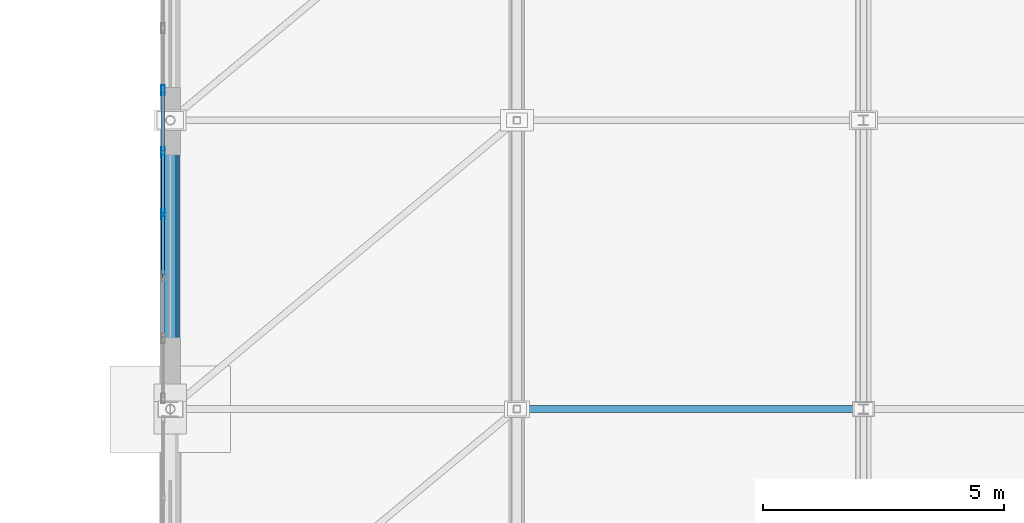
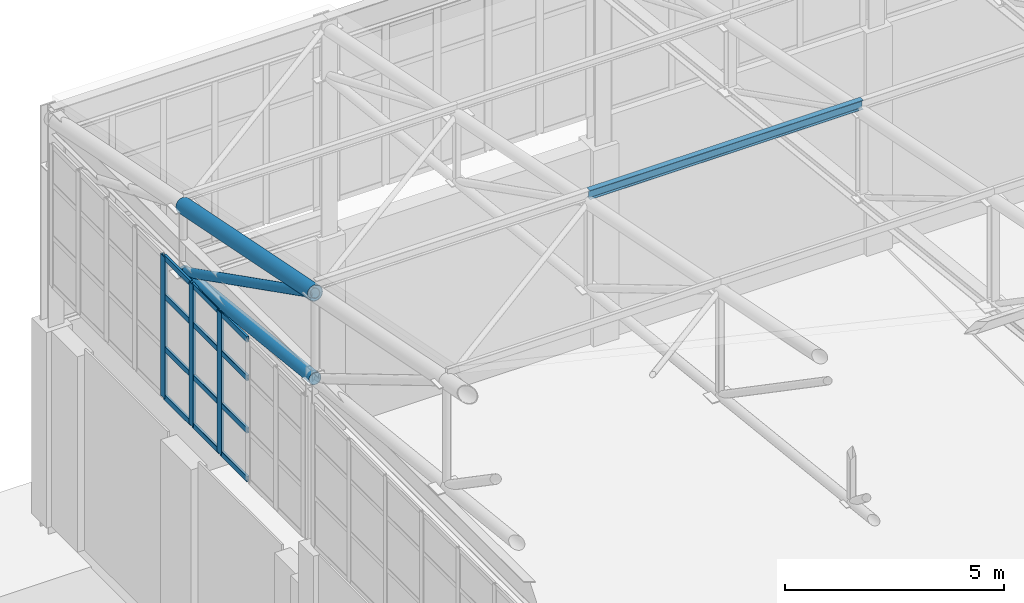
# One storey, part 198 of 293: 19 members, 1 element without a shape of its own.
"""IFC4 building model written with IfcOpenShell, lengths in metres."""

import ifcopenshell
import ifcopenshell.guid

model = None  # the IFC model being written
_history = None  # IfcOwnerHistory: only IFC2X3 demands one
_inside = {}  # id of a spatial element -> (the spatial element, [elements in it])
_under = {}  # id of a project, library or spatial element -> (it, [spatial elements below it])
_declared = {}  # id of a project -> (the project, [libraries it declares])
_typed = {}  # id of a type object -> (the type object, [elements of that type])
_made_of = {}  # id of a material, layer set ... -> (it, [elements and type objects made of it])


def new_model(schema):
    """Start an empty IFC model of exactly this schema.

    Asked for "IFC4X3", IfcOpenShell would pick the latest addendum, in which some entities
    have other attributes; the version numbers below select the first issue.
    IFC2X3 requires an IfcOwnerHistory on every rooted entity: one is made here for all.
    """
    global model, _history
    if schema == "IFC4X3":
        model = ifcopenshell.file(schema_version=(4, 3, 0, 0))
    else:
        model = ifcopenshell.file(schema=schema)
    _inside.clear()
    _under.clear()
    _declared.clear()
    _typed.clear()
    _made_of.clear()
    _history = None
    if model.schema == "IFC2X3":
        org = make("IfcOrganization", Name="unknown")
        user = make(
            "IfcPersonAndOrganization",
            ThePerson=make("IfcPerson", FamilyName="unknown"),
            TheOrganization=org,
        )
        app = make(
            "IfcApplication",
            ApplicationDeveloper=org,
            Version="unknown",
            ApplicationFullName="unknown",
            ApplicationIdentifier="unknown",
        )
        _history = make(
            "IfcOwnerHistory",
            OwningUser=user,
            OwningApplication=app,
            ChangeAction="ADDED",
            CreationDate=0,
        )
    return model


def make(cls, **values):
    """One entity of the class cls with the attributes given. An attribute that is None is left unset."""
    return model.create_entity(
        cls, **{name: value for name, value in values.items() if value is not None}
    )


def rooted(cls, **values):
    """An entity with a GlobalId (a new one), such as an element, a storey or a relation."""
    return make(cls, GlobalId=ifcopenshell.guid.new(), OwnerHistory=_history, **values)


def si_unit(unit_type, name, prefix=None):
    """IfcSIUnit, for example si_unit("LENGTHUNIT", "METRE", prefix="MILLI")."""
    return make("IfcSIUnit", UnitType=unit_type, Prefix=prefix, Name=name)


def assignment(units):
    """IfcUnitAssignment: the units of a project."""
    return None if units is None else make("IfcUnitAssignment", Units=units)


def point(xyz):
    """IfcCartesianPoint."""
    return None if xyz is None else make("IfcCartesianPoint", Coordinates=xyz)


def direction(xyz):
    """IfcDirection."""
    return None if xyz is None else make("IfcDirection", DirectionRatios=xyz)


def frame(location, z_axis=None, x_axis=None):
    """IfcAxis2Placement3D, a coordinate frame: its origin and axes. An axis left out is left unset."""
    return make(
        "IfcAxis2Placement3D",
        Location=point(location),
        Axis=direction(z_axis),
        RefDirection=direction(x_axis),
    )


def frame_2d(location, x_axis=None):
    """IfcAxis2Placement2D, a coordinate frame in the plane: its origin and x axis."""
    return make(
        "IfcAxis2Placement2D", Location=point(location), RefDirection=direction(x_axis)
    )


def origin():
    """The frame at (0, 0, 0) with its axes left unset."""
    return frame((0.0, 0.0, 0.0))


def origin_2d():
    """The frame at (0, 0) in the plane with its x axis left unset."""
    return frame_2d((0.0, 0.0))


def place(relative_to, where):
    """IfcLocalPlacement: puts the frame where relative to a parent placement (None: the world)."""
    return make(
        "IfcLocalPlacement", PlacementRelTo=relative_to, RelativePlacement=where
    )


def context(
    kind, dimensions, precision=None, world=None, true_north=None, identifier=None
):
    """IfcGeometricRepresentationContext, for example the 3D "Model" context."""
    return make(
        "IfcGeometricRepresentationContext",
        ContextIdentifier=identifier,
        ContextType=kind,
        CoordinateSpaceDimension=dimensions,
        Precision=precision,
        WorldCoordinateSystem=world,
        TrueNorth=true_north,
    )


def subcontext(parent, identifier, kind, view, scale=None):
    """IfcGeometricRepresentationSubContext, for example "Body" below "Model"."""
    return make(
        "IfcGeometricRepresentationSubContext",
        ContextIdentifier=identifier,
        ContextType=kind,
        ParentContext=parent,
        TargetScale=scale,
        TargetView=view,
    )


def project(units=None, contexts=None):
    """IfcProject with its units and contexts."""
    return rooted(
        "IfcProject",
        Name="project",
        RepresentationContexts=contexts,
        UnitsInContext=assignment(units),
    )


def spatial(cls, under=None, at=None, **own):
    """A site, building, storey or space (cls), placed at a placement, below another one or the project."""
    s = rooted(cls, ObjectPlacement=at, **own)
    if under is not None:
        _under.setdefault(under.id(), (under, []))[1].append(s)
    return s


def profile(cls, at=None, kind="AREA", **sizes):
    """A parametric profile (cls). Its sizes go by their IFC names, for example OverallWidth=200.0."""
    return make(cls, ProfileType=kind, Position=at, **sizes)


def hollow_rectangle(**sizes):
    """IfcRectangleHollowProfileDef."""
    return profile("IfcRectangleHollowProfileDef", **sizes)


def hollow_circle(**sizes):
    """IfcCircleHollowProfileDef."""
    return profile("IfcCircleHollowProfileDef", **sizes)


def i_section(**sizes):
    """IfcIShapeProfileDef."""
    return profile("IfcIShapeProfileDef", **sizes)


def extrude(swept, where, along, depth):
    """IfcExtrudedAreaSolid: the profile swept, set in the frame where, extruded along a direction by depth."""
    return make(
        "IfcExtrudedAreaSolid",
        SweptArea=swept,
        Position=where,
        ExtrudedDirection=direction(along),
        Depth=depth,
    )


def shape(context_of_items, identifier, shape_type, items):
    """IfcShapeRepresentation: the items that make up one representation, for example the "Body"."""
    return make(
        "IfcShapeRepresentation",
        ContextOfItems=context_of_items,
        RepresentationIdentifier=identifier,
        RepresentationType=shape_type,
        Items=items,
    )


def material(Name=None, Category=None):
    """IfcMaterial."""
    return make("IfcMaterial", Name=Name, Category=Category)


def layer(
    of_material, thickness, ventilated=None, Name=None, Category=None, Priority=None
):
    """IfcMaterialLayer: one layer of a wall or slab, of a material (None: an air gap)."""
    return make(
        "IfcMaterialLayer",
        Material=of_material,
        LayerThickness=thickness,
        IsVentilated=ventilated,
        Name=Name,
        Category=Category,
        Priority=Priority,
    )


def layer_set(layers, Name=None):
    """IfcMaterialLayerSet."""
    return make("IfcMaterialLayerSet", MaterialLayers=layers, LayerSetName=Name)


def material_profile(
    of_material, cross_section, Name=None, Category=None, Priority=None
):
    """IfcMaterialProfile: a cross section and its material."""
    return make(
        "IfcMaterialProfile",
        Name=Name,
        Material=of_material,
        Profile=cross_section,
        Priority=Priority,
        Category=Category,
    )


def profile_set(profiles, Name=None, composite=None):
    """IfcMaterialProfileSet."""
    return make(
        "IfcMaterialProfileSet",
        Name=Name,
        MaterialProfiles=profiles,
        CompositeProfile=composite,
    )


def made_of(thing, what):
    """Note that an element or type object is made of a material, layer set ...; save() writes the relation."""
    if what is not None:
        _made_of.setdefault(what.id(), (what, []))[1].append(thing)
    return thing


def type_object(cls, material=None, **own):
    """A type object (cls), such as IfcWallType, which elements share."""
    return made_of(rooted(cls, **own), material)


def element(
    cls,
    number,
    at=None,
    inside=None,
    cuts=None,
    type_object=None,
    material=None,
    context=None,
    identifier="Body",
    shape_type=None,
    held_by="IfcProductDefinitionShape",
    body=None,
    shapes=None,
    **own,
):
    """One element of the class cls, such as IfcWall. Its Tag is "e" and its number.

    at: its placement. inside: the storey or other place that contains it. cuts: it is an
    opening in that element (IfcRelVoidsElement). A single representation is given by context,
    identifier, shape_type and body (its items); several are given by shapes. held_by: the class
    of the entity that holds the representations. save() writes the other relations.
    """
    e = rooted(cls, Tag="e%d" % number, ObjectPlacement=at, **own)
    if body is not None:
        shapes = [shape(context, identifier, shape_type, body)]
    if shapes is not None:
        e.Representation = make(held_by, Representations=shapes)
    if inside is not None:
        _inside.setdefault(inside.id(), (inside, []))[1].append(e)
    if cuts is not None:
        rooted(
            "IfcRelVoidsElement", RelatingBuildingElement=cuts, RelatedOpeningElement=e
        )
    if type_object is not None:
        _typed.setdefault(type_object.id(), (type_object, []))[1].append(e)
    return made_of(e, material)


def aggregate(whole, parts):
    """IfcRelAggregates: a whole, such as a stair, and the parts it consists of."""
    return rooted("IfcRelAggregates", RelatingObject=whole, RelatedObjects=parts)


def save(model, path):
    """Write the relations noted so far, then the file.

    IfcRelAggregates (storeys below a building ...), IfcRelContainedInSpatialStructure (elements
    in a storey), IfcRelDefinesByType, IfcRelAssociatesMaterial and IfcRelDeclares: one each for
    every whole, place, type object, material and project.
    """
    for whole, parts in _under.values():
        aggregate(whole, parts)
    for where, things in _inside.values():
        rooted(
            "IfcRelContainedInSpatialStructure",
            RelatedElements=things,
            RelatingStructure=where,
        )
    for kind, things in _typed.values():
        rooted("IfcRelDefinesByType", RelatedObjects=things, RelatingType=kind)
    for what, things in _made_of.values():
        rooted("IfcRelAssociatesMaterial", RelatedObjects=things, RelatingMaterial=what)
    for by, libraries in _declared.values():
        rooted("IfcRelDeclares", RelatingContext=by, RelatedDefinitions=libraries)
    model.write(path)


model = new_model("IFC4")

# Units and contexts
model_context = context("Model", 3, precision=1e-05, world=origin(), true_north=direction((0.0, 1.0)))
body_context = subcontext(model_context, "Body", "Model", "MODEL_VIEW")
ifc_project = project(units=[si_unit("LENGTHUNIT", "METRE"), si_unit("AREAUNIT", "SQUARE_METRE"), si_unit("VOLUMEUNIT", "CUBIC_METRE"), si_unit("PLANEANGLEUNIT", "RADIAN"), si_unit("MASSUNIT", "GRAM", prefix="KILO")], contexts=[model_context])

# Site, building, storey
site_placement = place(None, origin())
site = spatial("IfcSite", under=ifc_project, at=site_placement, CompositionType="ELEMENT")
building_placement = place(site_placement, origin())
building = spatial("IfcBuilding", under=site, at=building_placement, Name="Kemerveld Promenade Tramway Depot", CompositionType="ELEMENT")
storey_placement = place(building_placement, origin())
storey = spatial("IfcBuildingStorey", under=building, at=storey_placement, Name="L00", CompositionType="ELEMENT", Elevation=0.0)

# Curtain wall, members
ifc_material_1 = material(Name="Bronze anodised aluminium and solar glass", Category="aluminium")
ifc_layer = layer(ifc_material_1, 0.199951171875)
ifc_layer_set = layer_set([ifc_layer], Name="CW-SYS-12")
curtain_wall_type = type_object("IfcCurtainWallType", Name="CW-SYS-12", PredefinedType="USERDEFINED", material=ifc_layer_set)
curtain_wall_placement = place(storey_placement, origin())
curtain_wall = element("IfcCurtainWall", 1, at=curtain_wall_placement, inside=storey, type_object=curtain_wall_type, Name="CW-V1-W-05", ObjectType="GLAZED_CURTAIN_WALL", PredefinedType="USERDEFINED")
ifc_material_2 = material(Name="Bronze anodised aluminium", Category="aluminium")
ifc_material_profile_1 = material_profile(ifc_material_2, hollow_rectangle(XDim=0.074951171875, YDim=0.199951171875, WallThickness=0.0048828125, InnerFilletRadius=0.001953125, OuterFilletRadius=0.0048828125, at=origin_2d()), Name="CW-MUL-200x75")
ifc_profile_set_1 = profile_set([ifc_material_profile_1], Name="Bronze anodised aluminium")
member_type_1 = type_object("IfcMemberType", Name="CW-MUL-B", PredefinedType="MULLION", material=ifc_profile_set_1)
member_1_placement = place(storey_placement, frame((35.85009765625, 136.0478515625, 6.64990234375), z_axis=(0.0, 0.0, 1.0), x_axis=(-1.0, 0.0, 0.0)))
member_1 = element("IfcMember", 2, at=member_1_placement, type_object=member_type_1, Name="CW12 mullion 4", PredefinedType="MULLION", context=body_context, shape_type="SweptSolid", body=[
    extrude(hollow_rectangle(XDim=0.074951171875, YDim=0.199951171875, WallThickness=0.0048828125, InnerFilletRadius=0.001953125, OuterFilletRadius=0.0048828125, at=origin_2d()), origin(), (0.0, 0.0, 1.0), 3.9501953125),
])
member_2_placement = place(storey_placement, frame((35.85009765625, 137.336181640625, 6.64990234375), z_axis=(0.0, 0.0, 1.0), x_axis=(-1.0, 0.0, 0.0)))
member_2 = element("IfcMember", 3, at=member_2_placement, type_object=member_type_1, Name="CW12 mullion 5", PredefinedType="MULLION", context=body_context, shape_type="SweptSolid", body=[
    extrude(hollow_rectangle(XDim=0.074951171875, YDim=0.199951171875, WallThickness=0.0048828125, InnerFilletRadius=0.001953125, OuterFilletRadius=0.0048828125, at=origin_2d()), origin(), (0.0, 0.0, 1.0), 3.9501953125),
])
member_3_placement = place(storey_placement, frame((35.85009765625, 138.624267578125, 6.64990234375), z_axis=(0.0, 0.0, 1.0), x_axis=(-1.0, 0.0, 0.0)))
member_3 = element("IfcMember", 4, at=member_3_placement, type_object=member_type_1, Name="CW12 mullion 6", PredefinedType="MULLION", context=body_context, shape_type="SweptSolid", body=[
    extrude(hollow_rectangle(XDim=0.074951171875, YDim=0.199951171875, WallThickness=0.0048828125, InnerFilletRadius=0.001953125, OuterFilletRadius=0.0048828125, at=origin_2d()), origin(), (0.0, 0.0, 1.0), 3.9501953125),
])
ifc_material_profile_2 = material_profile(ifc_material_2, hollow_rectangle(XDim=0.06494140625, YDim=0.14990234375, WallThickness=0.00439453125, InnerFilletRadius=0.001953125, OuterFilletRadius=0.00439453125, at=origin_2d()), Name="CW-TRN-150x65")
ifc_profile_set_2 = profile_set([ifc_material_profile_2], Name="Bronze anodised aluminium")
member_type_2 = type_object("IfcMemberType", Name="CW-TRN-B", PredefinedType="USERDEFINED", material=ifc_profile_set_2)
member_4_placement = place(storey_placement, frame((35.85009765625, 134.79736328125, 6.6826171875), z_axis=(0.0, 1.0, 0.0), x_axis=(-1.0, 0.0, 0.0)))
member_4 = element("IfcMember", 5, at=member_4_placement, type_object=member_type_2, Name="CW12 transom 3.1", ObjectType="TRANSOM", PredefinedType="USERDEFINED", context=body_context, shape_type="SweptSolid", body=[
    extrude(hollow_rectangle(XDim=0.06494140625, YDim=0.14990234375, WallThickness=0.00439453125, InnerFilletRadius=0.001953125, OuterFilletRadius=0.00439453125, at=origin_2d()), origin(), (0.0, 0.0, 1.0), 1.213134765625),
])
member_5_placement = place(storey_placement, frame((35.85009765625, 134.79736328125, 8.032958984375), z_axis=(0.0, 1.0, 0.0), x_axis=(-1.0, 0.0, 0.0)))
member_5 = element("IfcMember", 6, at=member_5_placement, type_object=member_type_2, Name="CW12 transom 3.2", ObjectType="TRANSOM", PredefinedType="USERDEFINED", context=body_context, shape_type="SweptSolid", body=[
    extrude(hollow_rectangle(XDim=0.06494140625, YDim=0.14990234375, WallThickness=0.00439453125, InnerFilletRadius=0.001953125, OuterFilletRadius=0.00439453125, at=origin_2d()), origin(), (0.0, 0.0, 1.0), 1.213134765625),
])
member_6_placement = place(storey_placement, frame((35.85009765625, 134.79736328125, 9.493896484375), z_axis=(0.0, 1.0, 0.0), x_axis=(-1.0, 0.0, 0.0)))
member_6 = element("IfcMember", 7, at=member_6_placement, type_object=member_type_2, Name="CW12 transom 3.3", ObjectType="TRANSOM", PredefinedType="USERDEFINED", context=body_context, shape_type="SweptSolid", body=[
    extrude(hollow_rectangle(XDim=0.06494140625, YDim=0.14990234375, WallThickness=0.00439453125, InnerFilletRadius=0.001953125, OuterFilletRadius=0.00439453125, at=origin_2d()), origin(), (0.0, 0.0, 1.0), 1.213134765625),
])
member_7_placement = place(storey_placement, frame((35.85009765625, 134.79736328125, 10.5673828125), z_axis=(0.0, 1.0, 0.0), x_axis=(-1.0, 0.0, 0.0)))
member_7 = element("IfcMember", 8, at=member_7_placement, type_object=member_type_2, Name="CW12 transom 3.4", ObjectType="TRANSOM", PredefinedType="USERDEFINED", context=body_context, shape_type="SweptSolid", body=[
    extrude(hollow_rectangle(XDim=0.06494140625, YDim=0.14990234375, WallThickness=0.00439453125, InnerFilletRadius=0.001953125, OuterFilletRadius=0.00439453125, at=origin_2d()), origin(), (0.0, 0.0, 1.0), 1.213134765625),
])
member_8_placement = place(storey_placement, frame((35.85009765625, 136.08544921875, 6.6826171875), z_axis=(0.0, 1.0, 0.0), x_axis=(-1.0, 0.0, 0.0)))
member_8 = element("IfcMember", 9, at=member_8_placement, type_object=member_type_2, Name="CW12 transom 4.1", ObjectType="TRANSOM", PredefinedType="USERDEFINED", context=body_context, shape_type="SweptSolid", body=[
    extrude(hollow_rectangle(XDim=0.06494140625, YDim=0.14990234375, WallThickness=0.00439453125, InnerFilletRadius=0.001953125, OuterFilletRadius=0.00439453125, at=origin_2d()), origin(), (0.0, 0.0, 1.0), 1.213134765625),
])
member_9_placement = place(storey_placement, frame((35.85009765625, 136.08544921875, 8.032958984375), z_axis=(0.0, 1.0, 0.0), x_axis=(-1.0, 0.0, 0.0)))
member_9 = element("IfcMember", 10, at=member_9_placement, type_object=member_type_2, Name="CW12 transom 4.2", ObjectType="TRANSOM", PredefinedType="USERDEFINED", context=body_context, shape_type="SweptSolid", body=[
    extrude(hollow_rectangle(XDim=0.06494140625, YDim=0.14990234375, WallThickness=0.00439453125, InnerFilletRadius=0.001953125, OuterFilletRadius=0.00439453125, at=origin_2d()), origin(), (0.0, 0.0, 1.0), 1.213134765625),
])
member_10_placement = place(storey_placement, frame((35.85009765625, 136.08544921875, 9.493896484375), z_axis=(0.0, 1.0, 0.0), x_axis=(-1.0, 0.0, 0.0)))
member_10 = element("IfcMember", 11, at=member_10_placement, type_object=member_type_2, Name="CW12 transom 4.3", ObjectType="TRANSOM", PredefinedType="USERDEFINED", context=body_context, shape_type="SweptSolid", body=[
    extrude(hollow_rectangle(XDim=0.06494140625, YDim=0.14990234375, WallThickness=0.00439453125, InnerFilletRadius=0.001953125, OuterFilletRadius=0.00439453125, at=origin_2d()), origin(), (0.0, 0.0, 1.0), 1.213134765625),
])
member_11_placement = place(storey_placement, frame((35.85009765625, 136.08544921875, 10.5673828125), z_axis=(0.0, 1.0, 0.0), x_axis=(-1.0, 0.0, 0.0)))
member_11 = element("IfcMember", 12, at=member_11_placement, type_object=member_type_2, Name="CW12 transom 4.4", ObjectType="TRANSOM", PredefinedType="USERDEFINED", context=body_context, shape_type="SweptSolid", body=[
    extrude(hollow_rectangle(XDim=0.06494140625, YDim=0.14990234375, WallThickness=0.00439453125, InnerFilletRadius=0.001953125, OuterFilletRadius=0.00439453125, at=origin_2d()), origin(), (0.0, 0.0, 1.0), 1.213134765625),
])
member_12_placement = place(storey_placement, frame((35.85009765625, 137.37353515625, 6.6826171875), z_axis=(0.0, 1.0, 0.0), x_axis=(-1.0, 0.0, 0.0)))
member_12 = element("IfcMember", 13, at=member_12_placement, type_object=member_type_2, Name="CW12 transom 5.1", ObjectType="TRANSOM", PredefinedType="USERDEFINED", context=body_context, shape_type="SweptSolid", body=[
    extrude(hollow_rectangle(XDim=0.06494140625, YDim=0.14990234375, WallThickness=0.00439453125, InnerFilletRadius=0.001953125, OuterFilletRadius=0.00439453125, at=origin_2d()), origin(), (0.0, 0.0, 1.0), 1.213134765625),
])
member_13_placement = place(storey_placement, frame((35.85009765625, 137.37353515625, 8.032958984375), z_axis=(0.0, 1.0, 0.0), x_axis=(-1.0, 0.0, 0.0)))
member_13 = element("IfcMember", 14, at=member_13_placement, type_object=member_type_2, Name="CW12 transom 5.2", ObjectType="TRANSOM", PredefinedType="USERDEFINED", context=body_context, shape_type="SweptSolid", body=[
    extrude(hollow_rectangle(XDim=0.06494140625, YDim=0.14990234375, WallThickness=0.00439453125, InnerFilletRadius=0.001953125, OuterFilletRadius=0.00439453125, at=origin_2d()), origin(), (0.0, 0.0, 1.0), 1.213134765625),
])
member_14_placement = place(storey_placement, frame((35.85009765625, 137.37353515625, 9.493896484375), z_axis=(0.0, 1.0, 0.0), x_axis=(-1.0, 0.0, 0.0)))
member_14 = element("IfcMember", 15, at=member_14_placement, type_object=member_type_2, Name="CW12 transom 5.3", ObjectType="TRANSOM", PredefinedType="USERDEFINED", context=body_context, shape_type="SweptSolid", body=[
    extrude(hollow_rectangle(XDim=0.06494140625, YDim=0.14990234375, WallThickness=0.00439453125, InnerFilletRadius=0.001953125, OuterFilletRadius=0.00439453125, at=origin_2d()), origin(), (0.0, 0.0, 1.0), 1.213134765625),
])
member_15_placement = place(storey_placement, frame((35.85009765625, 137.37353515625, 10.5673828125), z_axis=(0.0, 1.0, 0.0), x_axis=(-1.0, 0.0, 0.0)))
member_15 = element("IfcMember", 16, at=member_15_placement, type_object=member_type_2, Name="CW12 transom 5.4", ObjectType="TRANSOM", PredefinedType="USERDEFINED", context=body_context, shape_type="SweptSolid", body=[
    extrude(hollow_rectangle(XDim=0.06494140625, YDim=0.14990234375, WallThickness=0.00439453125, InnerFilletRadius=0.001953125, OuterFilletRadius=0.00439453125, at=origin_2d()), origin(), (0.0, 0.0, 1.0), 1.213134765625),
])
aggregate(curtain_wall, [member_1, member_2, member_3, member_4, member_5, member_6, member_7, member_8, member_9, member_10, member_11, member_12, member_13, member_14, member_15])

# Members
ifc_material_3 = material(Name="Steel S355", Category="steel")
ifc_material_profile_3 = material_profile(ifc_material_3, i_section(OverallWidth=0.146484375, OverallDepth=0.256103515625, WebThickness=0.00634765625, FlangeThickness=0.010986328125, FilletRadius=0.007568359375, at=origin_2d()), Name="254x146x37 UB")
ifc_profile_set_3 = profile_set([ifc_material_profile_3], Name="Steel S355")
member_type_3 = type_object("IfcMemberType", Name="MB-PR3", PredefinedType="PURLIN", material=ifc_profile_set_3)
member_16_placement = place(storey_placement, frame((43.199951171875, 132.0, 13.7451171875), z_axis=(1.0, 0.0, 0.0), x_axis=(0.0, 1.0, 0.0)))
element("IfcMember", 17, at=member_16_placement, inside=storey, type_object=member_type_3, Name="PUR-V1-08-07", PredefinedType="PURLIN", context=body_context, shape_type="SweptSolid", body=[
    extrude(i_section(OverallWidth=0.146484375, OverallDepth=0.256103515625, WebThickness=0.00634765625, FlangeThickness=0.010986328125, FilletRadius=0.007568359375, at=origin_2d()), origin(), (0.0, 0.0, 1.0), 7.199951171875),
])
ifc_material_profile_4 = material_profile(ifc_material_3, hollow_circle(Radius=0.122314453125, WallThickness=0.010009765625, at=origin_2d()), Name="244.5x10.0 CHS")
ifc_profile_set_4 = profile_set([ifc_material_profile_4], Name="Steel S355")
member_type_4 = type_object("IfcMemberType", Name="MB-TB1", PredefinedType="BRACE", material=ifc_profile_set_4)
member_17_placement = place(storey_placement, frame((36.0, 138.0, 10.4599609375), z_axis=(0.0, -0.892033434612, 0.451969414379), x_axis=(1.0, 0.0, 0.0)))
element("IfcMember", 18, at=member_17_placement, inside=storey, type_object=member_type_4, Name="TR-06-DG-09", PredefinedType="BRACE", context=body_context, shape_type="SweptSolid", body=[
    extrude(hollow_circle(Radius=0.122314453125, WallThickness=0.010009765625, at=origin_2d()), origin(), (0.0, 0.0, 1.0), 6.726318359375),
])
ifc_material_profile_5 = material_profile(ifc_material_3, hollow_circle(Radius=0.203125, WallThickness=0.01611328125, at=origin_2d()), Name="406.4x16.0 CHS")
ifc_profile_set_5 = profile_set([ifc_material_profile_5], Name="Steel S355")
member_type_5 = type_object("IfcMemberType", Name="MB-TC1", PredefinedType="CHORD", material=ifc_profile_set_5)
member_18_placement = place(storey_placement, frame((36.0, 132.0, 13.5), z_axis=(0.0, 0.980582210276, -0.196108462057), x_axis=(-1.0, 0.0, 0.0)))
element("IfcMember", 19, at=member_18_placement, inside=storey, type_object=member_type_5, Name="TR-06-TC-09", PredefinedType="CHORD", context=body_context, shape_type="SweptSolid", body=[
    extrude(hollow_circle(Radius=0.203125, WallThickness=0.01611328125, at=origin_2d()), origin(), (0.0, 0.0, 1.0), 6.118896484375),
])
ifc_material_profile_6 = material_profile(ifc_material_3, hollow_circle(Radius=0.161865234375, WallThickness=0.012451171875, at=origin_2d()), Name="323.9x12.5 CHS")
ifc_profile_set_6 = profile_set([ifc_material_profile_6], Name="Steel S355")
member_type_6 = type_object("IfcMemberType", Name="MB-TC2", PredefinedType="CHORD", material=ifc_profile_set_6)
member_19_placement = place(storey_placement, frame((36.0, 132.0, 11.1201171875), z_axis=(0.0, 0.994001542248, -0.109366055104), x_axis=(-1.0, 0.0, 0.0)))
element("IfcMember", 20, at=member_19_placement, inside=storey, type_object=member_type_6, Name="TR-06-BC-09", PredefinedType="CHORD", context=body_context, shape_type="SweptSolid", body=[
    extrude(hollow_circle(Radius=0.161865234375, WallThickness=0.012451171875, at=origin_2d()), origin(), (0.0, 0.0, 1.0), 6.0361328125),
])

save(model, "model.ifc")
